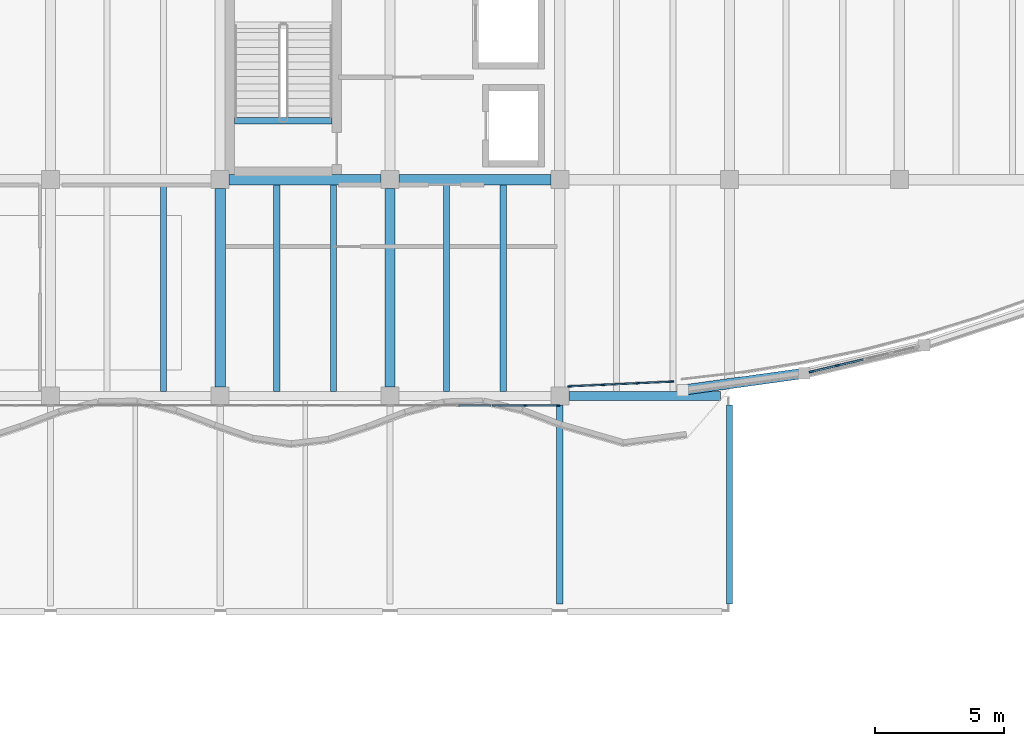
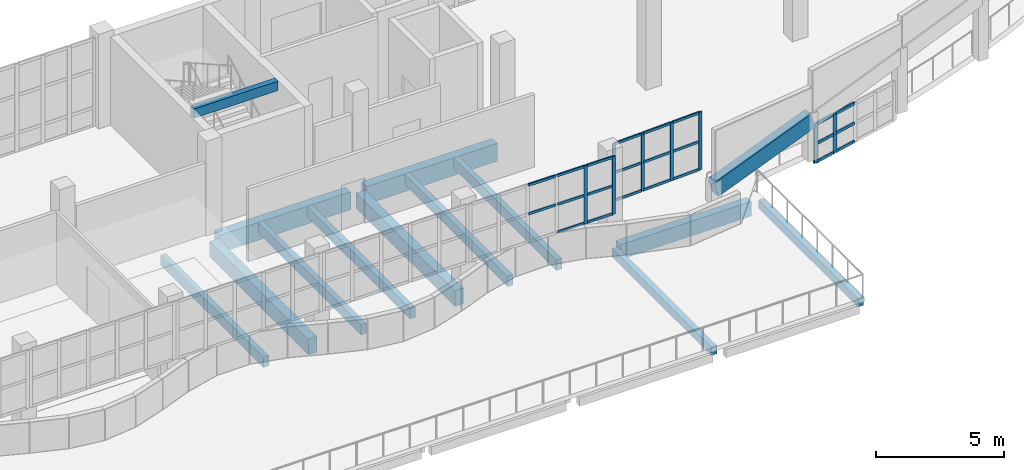
# One storey, part 17 of 83: 31 members, 14 beams, 3 elements without a shape of their own.
"""IFC4 building model written with IfcOpenShell, lengths in metres."""

from ifc_helpers import new_model, si_unit, direction, frame, origin, origin_2d, place, context, subcontext, project, spatial, rectangle, extrude, material, material_profile, profile_set, type_object, element, aggregate, save


model = new_model("IFC4")

# Units and contexts
model_context = context("Model", 3, precision=1e-05, world=origin(), true_north=direction((0.0, 1.0)))
body_context = subcontext(model_context, "Body", "Model", "MODEL_VIEW")
ifc_project = project(units=[si_unit("LENGTHUNIT", "METRE"), si_unit("AREAUNIT", "SQUARE_METRE"), si_unit("VOLUMEUNIT", "CUBIC_METRE"), si_unit("PLANEANGLEUNIT", "RADIAN"), si_unit("MASSUNIT", "GRAM", prefix="KILO")], contexts=[model_context])

# Site, building, storey
site_placement = place(None, origin())
site = spatial("IfcSite", under=ifc_project, at=site_placement, CompositionType="ELEMENT")
building_placement = place(site_placement, origin())
building = spatial("IfcBuilding", under=site, at=building_placement, Name="Qaldarim Faculty of Natural and Applied Sciences", CompositionType="ELEMENT")
storey_placement = place(building_placement, frame((0.0, 0.0, 5.39990234375)))
storey = spatial("IfcBuildingStorey", under=building, at=storey_placement, Name="L01", CompositionType="ELEMENT", Elevation=5.39990234375)

# Beams
ifc_material_1 = material(Name="Concrete C40/50", Category="concrete")
ifc_material_profile_1 = material_profile(ifc_material_1, rectangle(XDim=0.25, YDim=0.39990234375, at=origin_2d()), Name="RC-LN250x400")
ifc_profile_set_1 = profile_set([ifc_material_profile_1], Name="Concrete C40/50")
beam_type_1 = type_object("IfcBeamType", Name="ArcadeLintel-RC250x400", PredefinedType="LINTEL", material=ifc_profile_set_1)
for number, where, z_axis, x_axis, name in (
    (1, (112.199951171875, 92.699951171875, -0.39990234375), (0.0, 1.0, 0.0), (-1.0, 0.0, 0.0), "Beam RC-LN250x400 L00 X18/Y12-Y13"),
    (2, (118.800048828125, 92.699951171875, -0.39990234375), (0.0, 1.0, 0.0), (-1.0, 0.0, 0.0), "Beam RC-LN250x400 L00 X19/Y12-Y13"),
):
    element("IfcBeam", number, at=place(storey_placement, frame(where, z_axis=z_axis, x_axis=x_axis)), inside=storey, type_object=beam_type_1, Name=name, PredefinedType="LINTEL", context=body_context, shape_type="SweptSolid", body=[
        extrude(rectangle(XDim=0.25, YDim=0.39990234375, at=origin_2d()), origin(), (0.0, 0.0, 1.0), 7.75),
    ])
ifc_material_profile_2 = material_profile(ifc_material_1, rectangle(XDim=0.239990234375, YDim=0.5, at=origin_2d()), Name="RC-J240x500")
ifc_profile_set_2 = profile_set([ifc_material_profile_2], Name="Concrete C40/50")
beam_type_2 = type_object("IfcBeamType", Name="HeavyJoist-RC240x500", PredefinedType="JOIST", material=ifc_profile_set_2)
for number, where, z_axis, x_axis, name in (
    (3, (96.800048828125, 100.97509765625, -0.5498046875), (0.0, 1.0, 0.0), (-1.0, 0.0, 0.0), "Laboratory joist L00 bay X15Y13-2"),
    (4, (101.199951171875, 100.97509765625, -0.5498046875), (0.0, 1.0, 0.0), (-1.0, 0.0, 0.0), "Laboratory joist L00 bay X16Y13-1"),
    (5, (103.39990234375, 100.97509765625, -0.5498046875), (0.0, 1.0, 0.0), (-1.0, 0.0, 0.0), "Laboratory joist L00 bay X16Y13-2"),
    (6, (107.800048828125, 100.97509765625, -0.5498046875), (0.0, 1.0, 0.0), (-1.0, 0.0, 0.0), "Laboratory joist L00 bay X17Y13-1"),
    (7, (110.0, 100.97509765625, -0.5498046875), (0.0, 1.0, 0.0), (-1.0, 0.0, 0.0), "Laboratory joist L00 bay X17Y13-2"),
):
    element("IfcBeam", number, at=place(storey_placement, frame(where, z_axis=z_axis, x_axis=x_axis)), inside=storey, type_object=beam_type_2, Name=name, PredefinedType="JOIST", context=body_context, shape_type="SweptSolid", body=[
        extrude(rectangle(XDim=0.239990234375, YDim=0.5, at=origin_2d()), origin(), (0.0, 0.0, 1.0), 8.02490234375),
    ])
ifc_material_2 = material(Name="Concrete C50/60", Category="concrete")
ifc_material_profile_3 = material_profile(ifc_material_2, rectangle(XDim=0.39990234375, YDim=0.75, at=origin_2d()), Name="RC-B400x750")
ifc_profile_set_3 = profile_set([ifc_material_profile_3], Name="Concrete C50/60")
beam_type_3 = type_object("IfcBeamType", Name="LabGirder-RC400x750", PredefinedType="BEAM", material=ifc_profile_set_3)
beam_1_placement = place(storey_placement, frame((116.97509765625, 101.02001953125, 0.650146484375), z_axis=(0.958998773607, 0.132806529864, 0.250367285894), x_axis=(-0.137175440138, 0.990546767509, 0.0)))
element("IfcBeam", 8, at=beam_1_placement, inside=storey, type_object=beam_type_3, Name="Arched entrance RC portal beam 02-04", PredefinedType="BEAM", context=body_context, shape_type="SweptSolid", body=[
    extrude(rectangle(XDim=0.39990234375, YDim=0.75, at=origin_2d()), origin(), (0.0, 0.0, 1.0), 4.93212890625),
])
for number, where, z_axis, x_axis, name in (
    (9, (99.0, 101.14990234375, -0.6748046875), (0.0, 1.0, 0.0), (-1.0, 0.0, 0.0), "Beam RC-B400x750 L00 X16/Y13-Y14"),
    (10, (105.60009765625, 101.14990234375, -0.6748046875), (0.0, 1.0, 0.0), (-1.0, 0.0, 0.0), "Beam RC-B400x750 L00 X17/Y13-Y14"),
):
    element("IfcBeam", number, at=place(storey_placement, frame(where, z_axis=z_axis, x_axis=x_axis)), inside=storey, type_object=beam_type_3, Name=name, PredefinedType="BEAM", context=body_context, shape_type="SweptSolid", body=[
        extrude(rectangle(XDim=0.39990234375, YDim=0.75, at=origin_2d()), origin(), (0.0, 0.0, 1.0), 7.7001953125),
    ])
ifc_material_profile_4 = material_profile(ifc_material_1, rectangle(XDim=0.25, YDim=0.449951171875, at=origin_2d()), Name="RC-LN250x450")
ifc_profile_set_4 = profile_set([ifc_material_profile_4], Name="Concrete C40/50")
beam_type_4 = type_object("IfcBeamType", Name="LandingSupportBeam-RC250x450", PredefinedType="BEAM", material=ifc_profile_set_4)
beam_2_placement = place(storey_placement, frame((99.550048828125, 111.5, 3.97509765625), z_axis=(1.0, 0.0, 0.0), x_axis=(0.0, 1.0, 0.0)))
element("IfcBeam", 11, at=beam_2_placement, inside=storey, type_object=beam_type_4, Name="Stair arrival support beam ST-B1 L01", PredefinedType="BEAM", context=body_context, shape_type="SweptSolid", body=[
    extrude(rectangle(XDim=0.25, YDim=0.449951171875, at=origin_2d()), origin(), (0.0, 0.0, 1.0), 3.800048828125),
])

# Curtain wall, members
ifc_material_3 = material(Name="Anodised aluminium AW-6063", Category="aluminium")
curtain_wall_type_1 = type_object("IfcCurtainWallType", Name="CurtainWallSystem-M1400", PredefinedType="USERDEFINED", material=ifc_material_3)
curtain_wall_1_placement = place(storey_placement, origin())
curtain_wall_1 = element("IfcCurtainWall", 12, at=curtain_wall_1_placement, inside=storey, type_object=curtain_wall_type_1, Name="Curtain wall CW-V4RIB-L01-X17", ObjectType="STICK CURTAIN WALL", PredefinedType="USERDEFINED")
ifc_material_profile_5 = material_profile(ifc_material_3, rectangle(XDim=0.06005859375, YDim=0.14990234375, at=origin_2d()), Name="ALU-M60x150")
ifc_profile_set_5 = profile_set([ifc_material_profile_5], Name="Anodised aluminium AW-6063")
member_type_1 = type_object("IfcMemberType", Name="Mullion-ALU60x150", PredefinedType="MULLION", material=ifc_profile_set_5)
member_1_placement = place(storey_placement, frame((110.85595703125, 100.419921875, 1.4501953125), z_axis=(0.0, 0.0, 1.0), x_axis=(0.0, 1.0, 0.0)))
member_1 = element("IfcMember", 13, at=member_1_placement, type_object=member_type_1, Name="Mullion 5 of CW-V4RIB-L01-X17", PredefinedType="MULLION", context=body_context, shape_type="SweptSolid", body=[
    extrude(rectangle(XDim=0.06005859375, YDim=0.14990234375, at=origin_2d()), origin(), (0.0, 0.0, 1.0), 2.75),
])
member_2_placement = place(storey_placement, frame((112.1298828125, 100.419921875, 1.4501953125), z_axis=(0.0, 0.0, 1.0), x_axis=(0.0, 1.0, 0.0)))
member_2 = element("IfcMember", 14, at=member_2_placement, type_object=member_type_1, Name="Mullion 6 of CW-V4RIB-L01-X17", PredefinedType="MULLION", context=body_context, shape_type="SweptSolid", body=[
    extrude(rectangle(XDim=0.06005859375, YDim=0.14990234375, at=origin_2d()), origin(), (0.0, 0.0, 1.0), 2.75),
])

curtain_wall_2_placement = place(storey_placement, origin())
curtain_wall_2 = element("IfcCurtainWall", 15, at=curtain_wall_2_placement, inside=storey, type_object=curtain_wall_type_1, Name="Curtain wall CW-V4ARC-L01-00", ObjectType="STICK CURTAIN WALL", PredefinedType="USERDEFINED")
member_3_placement = place(storey_placement, frame((112.580078125, 101.16650390625, 1.4501953125), z_axis=(0.0, 0.0, 1.0), x_axis=(-0.045746561938, 0.998953078013, 0.0)))
member_3 = element("IfcMember", 16, at=member_3_placement, type_object=member_type_1, Name="Mullion 1 of CW-V4ARC-L01-00", PredefinedType="MULLION", context=body_context, shape_type="SweptSolid", body=[
    extrude(rectangle(XDim=0.06005859375, YDim=0.14990234375, at=origin_2d()), origin(), (0.0, 0.0, 1.0), 2.75),
])
member_4_placement = place(storey_placement, frame((113.896728515625, 101.226806640625, 1.4501953125), z_axis=(0.0, 0.0, 1.0), x_axis=(-0.045746561938, 0.998953078013, 0.0)))
member_4 = element("IfcMember", 17, at=member_4_placement, type_object=member_type_1, Name="Mullion 2 of CW-V4ARC-L01-00", PredefinedType="MULLION", context=body_context, shape_type="SweptSolid", body=[
    extrude(rectangle(XDim=0.06005859375, YDim=0.14990234375, at=origin_2d()), origin(), (0.0, 0.0, 1.0), 2.75),
])
member_5_placement = place(storey_placement, frame((115.243408203125, 101.288330078125, 1.4501953125), z_axis=(0.0, 0.0, 1.0), x_axis=(-0.045746561938, 0.998953078013, 0.0)))
member_5 = element("IfcMember", 18, at=member_5_placement, type_object=member_type_1, Name="Mullion 3 of CW-V4ARC-L01-00", PredefinedType="MULLION", context=body_context, shape_type="SweptSolid", body=[
    extrude(rectangle(XDim=0.06005859375, YDim=0.14990234375, at=origin_2d()), origin(), (0.0, 0.0, 1.0), 2.75),
])
member_6_placement = place(storey_placement, frame((116.56005859375, 101.3486328125, 1.4501953125), z_axis=(0.0, 0.0, 1.0), x_axis=(-0.045746561938, 0.998953078013, 0.0)))
member_6 = element("IfcMember", 19, at=member_6_placement, type_object=member_type_1, Name="Mullion 4 of CW-V4ARC-L01-00", PredefinedType="MULLION", context=body_context, shape_type="SweptSolid", body=[
    extrude(rectangle(XDim=0.06005859375, YDim=0.14990234375, at=origin_2d()), origin(), (0.0, 0.0, 1.0), 2.75),
])

curtain_wall_type_2 = type_object("IfcCurtainWallType", Name="CurtainWallSystem-M1200", PredefinedType="USERDEFINED", material=ifc_material_3)
curtain_wall_3_placement = place(storey_placement, origin())
curtain_wall_3 = element("IfcCurtainWall", 20, at=curtain_wall_3_placement, inside=storey, type_object=curtain_wall_type_2, Name="Curtain wall CW-PORT-TOP-2", ObjectType="STICK CURTAIN WALL", PredefinedType="USERDEFINED")
ifc_material_profile_6 = material_profile(ifc_material_3, rectangle(XDim=0.070068359375, YDim=0.179931640625, at=origin_2d()), Name="ALU-M70x180")
ifc_profile_set_6 = profile_set([ifc_material_profile_6], Name="Anodised aluminium AW-6063")
member_type_2 = type_object("IfcMemberType", Name="Mullion-ALU70x180", PredefinedType="MULLION", material=ifc_profile_set_6)
member_7_placement = place(storey_placement, frame((121.984130859375, 101.738037109375, -0.35986328125), z_axis=(0.0, 0.0, 1.0), x_axis=(-0.229047490039, 0.973415249165, 0.0)))
member_7 = element("IfcMember", 21, at=member_7_placement, type_object=member_type_2, Name="Mullion 1 of CW-PORT-TOP-2", PredefinedType="MULLION", context=body_context, shape_type="SweptSolid", body=[
    extrude(rectangle(XDim=0.070068359375, YDim=0.179931640625, at=origin_2d()), origin(), (0.0, 0.0, 1.0), 1.869873046875),
])
member_8_placement = place(storey_placement, frame((122.9912109375, 101.97509765625, -0.35986328125), z_axis=(0.0, 0.0, 1.0), x_axis=(-0.229047490039, 0.973415249165, 0.0)))
member_8 = element("IfcMember", 22, at=member_8_placement, type_object=member_type_2, Name="Mullion 2 of CW-PORT-TOP-2", PredefinedType="MULLION", context=body_context, shape_type="SweptSolid", body=[
    extrude(rectangle(XDim=0.070068359375, YDim=0.179931640625, at=origin_2d()), origin(), (0.0, 0.0, 1.0), 1.869873046875),
])

# Beams
ifc_material_profile_7 = material_profile(ifc_material_2, rectangle(XDim=0.39990234375, YDim=0.85009765625, at=origin_2d()), Name="RC-B400x850")
ifc_profile_set_7 = profile_set([ifc_material_profile_7], Name="Concrete C50/60")
beam_type_5 = type_object("IfcBeamType", Name="PodiumGirder-RC400x850", PredefinedType="BEAM", material=ifc_profile_set_7)
beam_3_placement = place(storey_placement, frame((99.35009765625, 109.199951171875, -0.724853515625), z_axis=(1.0, 0.0, 0.0), x_axis=(0.0, 1.0, 0.0)))
element("IfcBeam", 23, at=beam_3_placement, inside=storey, type_object=beam_type_5, Name="Beam RC-B400x850 L00 X16-X17/Y14", PredefinedType="BEAM", context=body_context, shape_type="SweptSolid", body=[
    extrude(rectangle(XDim=0.39990234375, YDim=0.85009765625, at=origin_2d()), origin(), (0.0, 0.0, 1.0), 5.89990234375),
])
beam_4_placement = place(storey_placement, frame((105.949951171875, 109.199951171875, -0.724853515625), z_axis=(1.0, 0.0, 0.0), x_axis=(0.0, 1.0, 0.0)))
element("IfcBeam", 24, at=beam_4_placement, inside=storey, type_object=beam_type_5, Name="Beam RC-B400x850 L00 X17-X18/Y14", PredefinedType="BEAM", context=body_context, shape_type="SweptSolid", body=[
    extrude(rectangle(XDim=0.39990234375, YDim=0.85009765625, at=origin_2d()), origin(), (0.0, 0.0, 1.0), 5.900146484375),
])
ifc_material_profile_8 = material_profile(ifc_material_1, rectangle(XDim=0.35009765625, YDim=0.699951171875, at=origin_2d()), Name="RC-B350x700")
ifc_profile_set_8 = profile_set([ifc_material_profile_8], Name="Concrete C40/50")
beam_type_6 = type_object("IfcBeamType", Name="PrimaryGirder-RC350x700", PredefinedType="BEAM", material=ifc_profile_set_8)
beam_5_placement = place(storey_placement, frame((112.550048828125, 100.800048828125, -0.64990234375), z_axis=(1.0, 0.0, 0.0), x_axis=(0.0, 1.0, 0.0)))
element("IfcBeam", 25, at=beam_5_placement, inside=storey, type_object=beam_type_6, Name="Beam RC-B350x700 L00 X18-X19/Y13", PredefinedType="BEAM", context=body_context, shape_type="SweptSolid", body=[
    extrude(rectangle(XDim=0.35009765625, YDim=0.699951171875, at=origin_2d()), origin(), (0.0, 0.0, 1.0), 5.89990234375),
])

# Member
ifc_material_profile_9 = material_profile(ifc_material_3, rectangle(XDim=0.06005859375, YDim=0.1201171875, at=origin_2d()), Name="ALU-T60x120")
ifc_profile_set_9 = profile_set([ifc_material_profile_9], Name="Anodised aluminium AW-6063")
member_type_3 = type_object("IfcMemberType", Name="Transom-ALU60x120", PredefinedType="USERDEFINED", material=ifc_profile_set_9)
member_9_placement = place(storey_placement, frame((108.278076171875, 100.419921875, 2.800048828125), z_axis=(1.0, 0.0, 0.0), x_axis=(0.0, 1.0, 0.0)))
member_9 = element("IfcMember", 26, at=member_9_placement, type_object=member_type_3, Name="Transom 3-2 of CW-V4RIB-L01-X17", ObjectType="TRANSOM", PredefinedType="USERDEFINED", context=body_context, shape_type="SweptSolid", body=[
    extrude(rectangle(XDim=0.06005859375, YDim=0.1201171875, at=origin_2d()), origin(), (0.0, 0.0, 1.0), 1.243896484375),
])

member_10_placement = place(storey_placement, frame((108.278076171875, 100.419921875, 4.170166015625), z_axis=(1.0, 0.0, 0.0), x_axis=(0.0, 1.0, 0.0)))
member_10 = element("IfcMember", 27, at=member_10_placement, type_object=member_type_3, Name="Transom 3-3 of CW-V4RIB-L01-X17", ObjectType="TRANSOM", PredefinedType="USERDEFINED", context=body_context, shape_type="SweptSolid", body=[
    extrude(rectangle(XDim=0.06005859375, YDim=0.1201171875, at=origin_2d()), origin(), (0.0, 0.0, 1.0), 1.243896484375),
])

member_11_placement = place(storey_placement, frame((109.58203125, 100.419921875, 1.47998046875), z_axis=(1.0, 0.0, 0.0), x_axis=(0.0, 1.0, 0.0)))
member_11 = element("IfcMember", 28, at=member_11_placement, type_object=member_type_3, Name="Transom 4-1 of CW-V4RIB-L01-X17", ObjectType="TRANSOM", PredefinedType="USERDEFINED", context=body_context, shape_type="SweptSolid", body=[
    extrude(rectangle(XDim=0.06005859375, YDim=0.1201171875, at=origin_2d()), origin(), (0.0, 0.0, 1.0), 1.243896484375),
])

member_12_placement = place(storey_placement, frame((109.58203125, 100.419921875, 2.800048828125), z_axis=(1.0, 0.0, 0.0), x_axis=(0.0, 1.0, 0.0)))
member_12 = element("IfcMember", 29, at=member_12_placement, type_object=member_type_3, Name="Transom 4-2 of CW-V4RIB-L01-X17", ObjectType="TRANSOM", PredefinedType="USERDEFINED", context=body_context, shape_type="SweptSolid", body=[
    extrude(rectangle(XDim=0.06005859375, YDim=0.1201171875, at=origin_2d()), origin(), (0.0, 0.0, 1.0), 1.243896484375),
])

member_13_placement = place(storey_placement, frame((109.58203125, 100.419921875, 4.170166015625), z_axis=(1.0, 0.0, 0.0), x_axis=(0.0, 1.0, 0.0)))
member_13 = element("IfcMember", 30, at=member_13_placement, type_object=member_type_3, Name="Transom 4-3 of CW-V4RIB-L01-X17", ObjectType="TRANSOM", PredefinedType="USERDEFINED", context=body_context, shape_type="SweptSolid", body=[
    extrude(rectangle(XDim=0.06005859375, YDim=0.1201171875, at=origin_2d()), origin(), (0.0, 0.0, 1.0), 1.243896484375),
])

member_14_placement = place(storey_placement, frame((110.885986328125, 100.419921875, 1.47998046875), z_axis=(1.0, 0.0, 0.0), x_axis=(0.0, 1.0, 0.0)))
member_14 = element("IfcMember", 31, at=member_14_placement, type_object=member_type_3, Name="Transom 5-1 of CW-V4RIB-L01-X17", ObjectType="TRANSOM", PredefinedType="USERDEFINED", context=body_context, shape_type="SweptSolid", body=[
    extrude(rectangle(XDim=0.06005859375, YDim=0.1201171875, at=origin_2d()), origin(), (0.0, 0.0, 1.0), 1.214111328125),
])

member_15_placement = place(storey_placement, frame((110.885986328125, 100.419921875, 2.800048828125), z_axis=(1.0, 0.0, 0.0), x_axis=(0.0, 1.0, 0.0)))
member_15 = element("IfcMember", 32, at=member_15_placement, type_object=member_type_3, Name="Transom 5-2 of CW-V4RIB-L01-X17", ObjectType="TRANSOM", PredefinedType="USERDEFINED", context=body_context, shape_type="SweptSolid", body=[
    extrude(rectangle(XDim=0.06005859375, YDim=0.1201171875, at=origin_2d()), origin(), (0.0, 0.0, 1.0), 1.214111328125),
])

member_16_placement = place(storey_placement, frame((110.885986328125, 100.419921875, 4.170166015625), z_axis=(1.0, 0.0, 0.0), x_axis=(0.0, 1.0, 0.0)))
member_16 = element("IfcMember", 33, at=member_16_placement, type_object=member_type_3, Name="Transom 5-3 of CW-V4RIB-L01-X17", ObjectType="TRANSOM", PredefinedType="USERDEFINED", context=body_context, shape_type="SweptSolid", body=[
    extrude(rectangle(XDim=0.06005859375, YDim=0.1201171875, at=origin_2d()), origin(), (0.0, 0.0, 1.0), 1.214111328125),
])

aggregate(curtain_wall_1, [member_1, member_2, member_9, member_10, member_11, member_12, member_13, member_14, member_15, member_16])

member_17_placement = place(storey_placement, frame((112.60986328125, 101.167724609375, 1.47998046875), z_axis=(0.998950860926, 0.045794950112, 0.0), x_axis=(-0.045794950112, 0.998950860926, 0.0)))
member_17 = element("IfcMember", 34, at=member_17_placement, type_object=member_type_3, Name="Transom 1-1 of CW-V4ARC-L01-00", ObjectType="TRANSOM", PredefinedType="USERDEFINED", context=body_context, shape_type="SweptSolid", body=[
    extrude(rectangle(XDim=0.06005859375, YDim=0.1201171875, at=origin_2d()), origin(), (0.0, 0.0, 1.0), 1.258056640625),
])

member_18_placement = place(storey_placement, frame((112.60986328125, 101.167724609375, 2.800048828125), z_axis=(0.998950860926, 0.045794950112, 0.0), x_axis=(-0.045794950112, 0.998950860926, 0.0)))
member_18 = element("IfcMember", 35, at=member_18_placement, type_object=member_type_3, Name="Transom 1-2 of CW-V4ARC-L01-00", ObjectType="TRANSOM", PredefinedType="USERDEFINED", context=body_context, shape_type="SweptSolid", body=[
    extrude(rectangle(XDim=0.06005859375, YDim=0.1201171875, at=origin_2d()), origin(), (0.0, 0.0, 1.0), 1.258056640625),
])

member_19_placement = place(storey_placement, frame((112.60986328125, 101.167724609375, 4.170166015625), z_axis=(0.998950860926, 0.045794950112, 0.0), x_axis=(-0.045794950112, 0.998950860926, 0.0)))
member_19 = element("IfcMember", 36, at=member_19_placement, type_object=member_type_3, Name="Transom 1-3 of CW-V4ARC-L01-00", ObjectType="TRANSOM", PredefinedType="USERDEFINED", context=body_context, shape_type="SweptSolid", body=[
    extrude(rectangle(XDim=0.06005859375, YDim=0.1201171875, at=origin_2d()), origin(), (0.0, 0.0, 1.0), 1.258056640625),
])

member_20_placement = place(storey_placement, frame((113.926513671875, 101.22802734375, 1.47998046875), z_axis=(0.998947726126, 0.04586328016, 0.0), x_axis=(-0.04586328016, 0.998947726126, 0.0)))
member_20 = element("IfcMember", 37, at=member_20_placement, type_object=member_type_3, Name="Transom 2-1 of CW-V4ARC-L01-00", ObjectType="TRANSOM", PredefinedType="USERDEFINED", context=body_context, shape_type="SweptSolid", body=[
    extrude(rectangle(XDim=0.06005859375, YDim=0.1201171875, at=origin_2d()), origin(), (0.0, 0.0, 1.0), 1.288330078125),
])

member_21_placement = place(storey_placement, frame((113.926513671875, 101.22802734375, 2.800048828125), z_axis=(0.998947726126, 0.04586328016, 0.0), x_axis=(-0.04586328016, 0.998947726126, 0.0)))
member_21 = element("IfcMember", 38, at=member_21_placement, type_object=member_type_3, Name="Transom 2-2 of CW-V4ARC-L01-00", ObjectType="TRANSOM", PredefinedType="USERDEFINED", context=body_context, shape_type="SweptSolid", body=[
    extrude(rectangle(XDim=0.06005859375, YDim=0.1201171875, at=origin_2d()), origin(), (0.0, 0.0, 1.0), 1.288330078125),
])

member_22_placement = place(storey_placement, frame((113.926513671875, 101.22802734375, 4.170166015625), z_axis=(0.998947726126, 0.04586328016, 0.0), x_axis=(-0.04586328016, 0.998947726126, 0.0)))
member_22 = element("IfcMember", 39, at=member_22_placement, type_object=member_type_3, Name="Transom 2-3 of CW-V4ARC-L01-00", ObjectType="TRANSOM", PredefinedType="USERDEFINED", context=body_context, shape_type="SweptSolid", body=[
    extrude(rectangle(XDim=0.06005859375, YDim=0.1201171875, at=origin_2d()), origin(), (0.0, 0.0, 1.0), 1.288330078125),
])

member_23_placement = place(storey_placement, frame((115.273193359375, 101.289794921875, 1.47998046875), z_axis=(0.998950860926, 0.045794950112, 0.0), x_axis=(-0.045794950112, 0.998950860926, 0.0)))
member_23 = element("IfcMember", 40, at=member_23_placement, type_object=member_type_3, Name="Transom 3-1 of CW-V4ARC-L01-00", ObjectType="TRANSOM", PredefinedType="USERDEFINED", context=body_context, shape_type="SweptSolid", body=[
    extrude(rectangle(XDim=0.06005859375, YDim=0.1201171875, at=origin_2d()), origin(), (0.0, 0.0, 1.0), 1.258056640625),
])

member_24_placement = place(storey_placement, frame((115.273193359375, 101.289794921875, 2.800048828125), z_axis=(0.998950860926, 0.045794950112, 0.0), x_axis=(-0.045794950112, 0.998950860926, 0.0)))
member_24 = element("IfcMember", 41, at=member_24_placement, type_object=member_type_3, Name="Transom 3-2 of CW-V4ARC-L01-00", ObjectType="TRANSOM", PredefinedType="USERDEFINED", context=body_context, shape_type="SweptSolid", body=[
    extrude(rectangle(XDim=0.06005859375, YDim=0.1201171875, at=origin_2d()), origin(), (0.0, 0.0, 1.0), 1.258056640625),
])

member_25_placement = place(storey_placement, frame((115.273193359375, 101.289794921875, 4.170166015625), z_axis=(0.998950860926, 0.045794950112, 0.0), x_axis=(-0.045794950112, 0.998950860926, 0.0)))
member_25 = element("IfcMember", 42, at=member_25_placement, type_object=member_type_3, Name="Transom 3-3 of CW-V4ARC-L01-00", ObjectType="TRANSOM", PredefinedType="USERDEFINED", context=body_context, shape_type="SweptSolid", body=[
    extrude(rectangle(XDim=0.06005859375, YDim=0.1201171875, at=origin_2d()), origin(), (0.0, 0.0, 1.0), 1.258056640625),
])

aggregate(curtain_wall_2, [member_3, member_4, member_5, member_6, member_17, member_18, member_19, member_20, member_21, member_22, member_23, member_24, member_25])

ifc_material_profile_10 = material_profile(ifc_material_3, rectangle(XDim=0.070068359375, YDim=0.139892578125, at=origin_2d()), Name="ALU-T70x140")
ifc_profile_set_10 = profile_set([ifc_material_profile_10], Name="Anodised aluminium AW-6063")
member_type_4 = type_object("IfcMemberType", Name="Transom-ALU70x140", PredefinedType="USERDEFINED", material=ifc_profile_set_10)
member_26_placement = place(storey_placement, frame((122.01806640625, 101.74609375, -0.324951171875), z_axis=(0.973427122905, 0.228997022674, 0.0), x_axis=(-0.228997022674, 0.973427122905, 0.0)))
member_26 = element("IfcMember", 43, at=member_26_placement, type_object=member_type_4, Name="Transom 1-1 of CW-PORT-TOP-2", ObjectType="TRANSOM", PredefinedType="USERDEFINED", context=body_context, shape_type="SweptSolid", body=[
    extrude(rectangle(XDim=0.070068359375, YDim=0.139892578125, at=origin_2d()), origin(), (0.0, 0.0, 1.0), 0.96484375),
])

member_27_placement = place(storey_placement, frame((122.01806640625, 101.74609375, 0.5400390625), z_axis=(0.973427122905, 0.228997022674, 0.0), x_axis=(-0.228997022674, 0.973427122905, 0.0)))
member_27 = element("IfcMember", 44, at=member_27_placement, type_object=member_type_4, Name="Transom 1-2 of CW-PORT-TOP-2", ObjectType="TRANSOM", PredefinedType="USERDEFINED", context=body_context, shape_type="SweptSolid", body=[
    extrude(rectangle(XDim=0.070068359375, YDim=0.139892578125, at=origin_2d()), origin(), (0.0, 0.0, 1.0), 0.96484375),
])

member_28_placement = place(storey_placement, frame((122.01806640625, 101.74609375, 1.47509765625), z_axis=(0.973427122905, 0.228997022674, 0.0), x_axis=(-0.228997022674, 0.973427122905, 0.0)))
member_28 = element("IfcMember", 45, at=member_28_placement, type_object=member_type_4, Name="Transom 1-3 of CW-PORT-TOP-2", ObjectType="TRANSOM", PredefinedType="USERDEFINED", context=body_context, shape_type="SweptSolid", body=[
    extrude(rectangle(XDim=0.070068359375, YDim=0.139892578125, at=origin_2d()), origin(), (0.0, 0.0, 1.0), 0.96484375),
])

member_29_placement = place(storey_placement, frame((123.025390625, 101.98291015625, -0.324951171875), z_axis=(0.973397944016, 0.229121021703, 0.0), x_axis=(-0.229121021703, 0.973397944016, 0.0)))
member_29 = element("IfcMember", 46, at=member_29_placement, type_object=member_type_4, Name="Transom 2-1 of CW-PORT-TOP-2", ObjectType="TRANSOM", PredefinedType="USERDEFINED", context=body_context, shape_type="SweptSolid", body=[
    extrude(rectangle(XDim=0.070068359375, YDim=0.139892578125, at=origin_2d()), origin(), (0.0, 0.0, 1.0), 0.99951171875),
])

member_30_placement = place(storey_placement, frame((123.025390625, 101.98291015625, 0.5400390625), z_axis=(0.973397944016, 0.229121021703, 0.0), x_axis=(-0.229121021703, 0.973397944016, 0.0)))
member_30 = element("IfcMember", 47, at=member_30_placement, type_object=member_type_4, Name="Transom 2-2 of CW-PORT-TOP-2", ObjectType="TRANSOM", PredefinedType="USERDEFINED", context=body_context, shape_type="SweptSolid", body=[
    extrude(rectangle(XDim=0.070068359375, YDim=0.139892578125, at=origin_2d()), origin(), (0.0, 0.0, 1.0), 0.99951171875),
])

member_31_placement = place(storey_placement, frame((123.025390625, 101.98291015625, 1.47509765625), z_axis=(0.973397944016, 0.229121021703, 0.0), x_axis=(-0.229121021703, 0.973397944016, 0.0)))
member_31 = element("IfcMember", 48, at=member_31_placement, type_object=member_type_4, Name="Transom 2-3 of CW-PORT-TOP-2", ObjectType="TRANSOM", PredefinedType="USERDEFINED", context=body_context, shape_type="SweptSolid", body=[
    extrude(rectangle(XDim=0.070068359375, YDim=0.139892578125, at=origin_2d()), origin(), (0.0, 0.0, 1.0), 0.99951171875),
])

aggregate(curtain_wall_3, [member_7, member_8, member_26, member_27, member_28, member_29, member_30, member_31])

save(model, "model.ifc")
